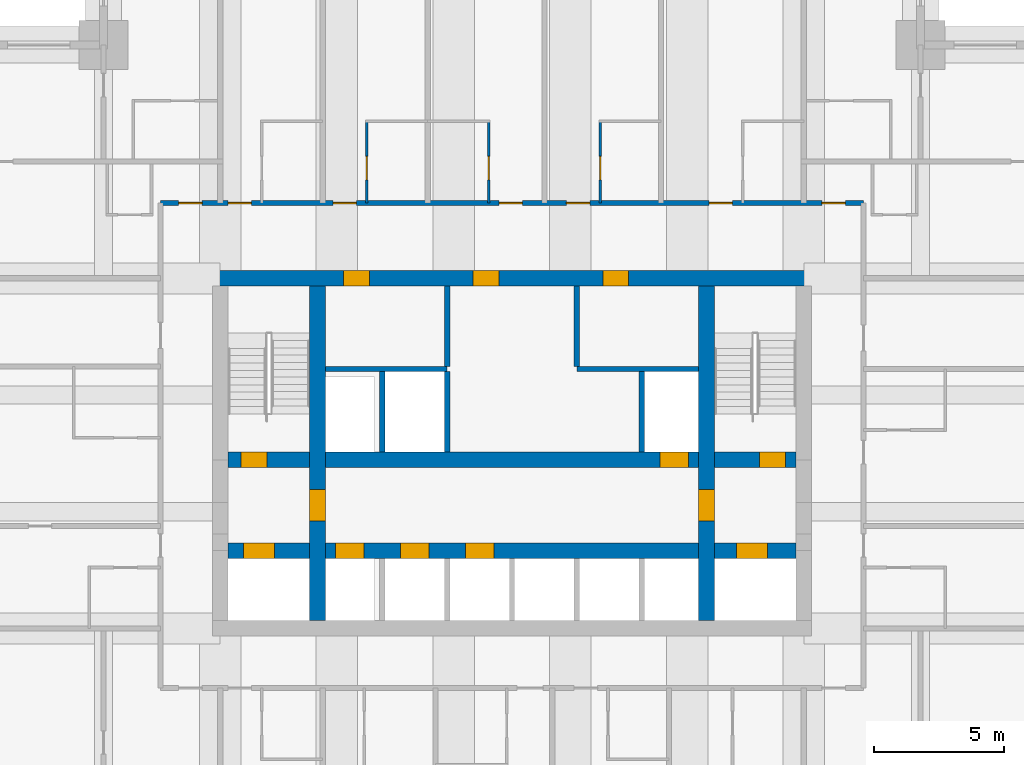
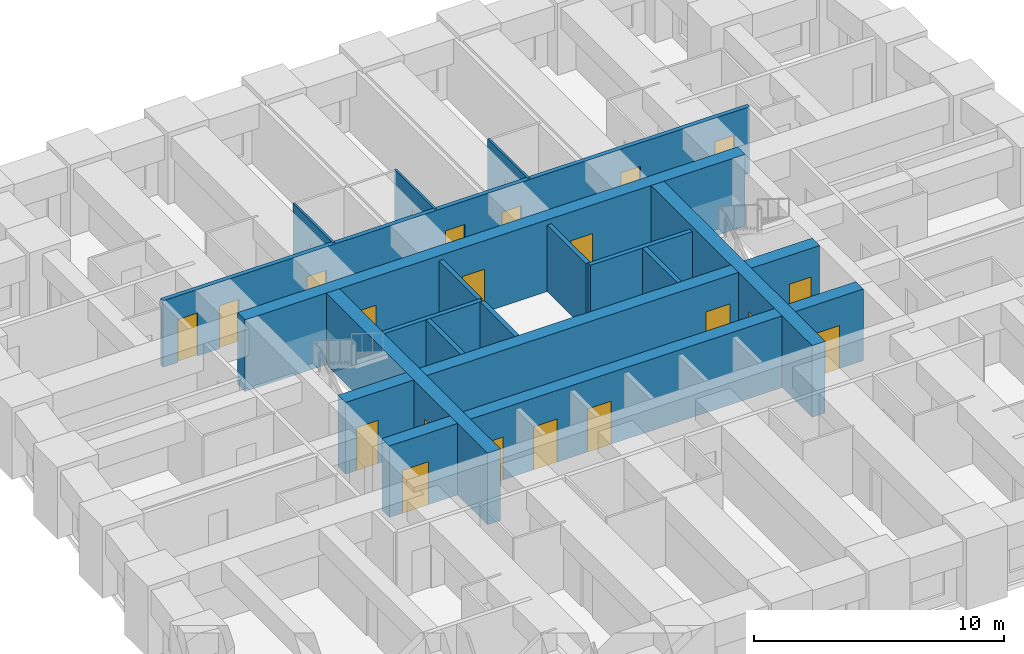
# One storey, part 4 of 8: 23 doors, 16 walls, 23 openings.
"""IFC4 building model written with IfcOpenShell, lengths in metres."""

from ifc_helpers import new_model, si_unit, direction, frame, frame_2d, origin, place, context, subcontext, project, spatial, rectangle, extrude, material, layer, layer_set, type_object, element, fill, save


model = new_model("IFC4")

# Units and contexts
model_context = context("Model", 3, precision=1e-05, world=origin(), true_north=direction((0.0, 1.0)))
body_context = subcontext(model_context, "Body", "Model", "MODEL_VIEW")
ifc_project = project(units=[si_unit("LENGTHUNIT", "METRE"), si_unit("AREAUNIT", "SQUARE_METRE"), si_unit("VOLUMEUNIT", "CUBIC_METRE"), si_unit("PLANEANGLEUNIT", "RADIAN"), si_unit("MASSUNIT", "GRAM", prefix="KILO")], contexts=[model_context])

# Site, building, storey
site_placement = place(None, origin())
site = spatial("IfcSite", under=ifc_project, at=site_placement, CompositionType="ELEMENT")
building_placement = place(site_placement, origin())
building = spatial("IfcBuilding", under=site, at=building_placement, Name="Kilele Tower Hotel", CompositionType="ELEMENT")
storey_placement = place(building_placement, frame((0.0, 0.0, 50.699951171875)))
storey = spatial("IfcBuildingStorey", under=building, at=storey_placement, Name="L11", CompositionType="ELEMENT", Elevation=50.699951171875)

# Wall, opening, door
ifc_material_1 = material(Name="Moisture-resistant board")
ifc_layer_1 = layer(ifc_material_1, 0.10009765625)
ifc_layer_set_1 = layer_set([ifc_layer_1], Name="Moisture-resistant board")
wall_type_1 = type_object("IfcWallType", Name="Bathroom partition 100", PredefinedType="PLUMBINGWALL", material=ifc_layer_set_1)
wall_1_placement = place(storey_placement, frame((19.14990234375, 29.89990234375, 0.0), z_axis=(0.0, 0.0, 1.0), x_axis=(0.0, 1.0, 0.0)))
wall_1 = element("IfcWall", 1, at=wall_1_placement, inside=storey, type_object=wall_type_1, Name="Bathroom partition 100 L11", PredefinedType="PLUMBINGWALL", context=body_context, shape_type="SweptSolid", body=[
    extrude(rectangle(XDim=3.2001953125, YDim=0.10009765625, at=frame_2d((1.60009765625, 0.0))), origin(), (0.0, 0.0, 1.0), 3.25),
])
opening_1_placement = place(wall_1_placement, frame((0.89990234375, 0.0, 0.0)))
opening_1 = element("IfcOpeningElement", 2, at=opening_1_placement, cuts=wall_1, Name="Opening D2A", PredefinedType="OPENING", context=body_context, shape_type="SweptSolid", body=[
    extrude(rectangle(XDim=0.89990234375, YDim=2.10009765625, at=frame_2d((0.449951171875, 1.050048828125))), frame((0.0, 0.06005859375, 0.0), z_axis=(0.0, -1.0, 0.0), x_axis=(1.0, 0.0, 0.0)), (0.0, 0.0, 1.0), 0.1201171875),
])
ifc_material_2 = material(Name="Timber door leaf in hardwood frame", Category="wood")
door_type_1 = type_object("IfcDoorType", Name="Bathroom door 900", OperationType="SINGLE_SWING_LEFT", PredefinedType="DOOR", material=ifc_material_2)
door_1_placement = place(opening_1_placement, origin())
door_1 = element("IfcDoor", 3, at=door_1_placement, inside=storey, type_object=door_type_1, Name="Bathroom door 1110B", OperationType="SINGLE_SWING_LEFT", OverallHeight=2.10009765625, OverallWidth=0.89990234375, PredefinedType="DOOR", context=body_context, shape_type="SweptSolid", body=[
    extrude(rectangle(XDim=0.89990234375, YDim=2.10009765625, at=frame_2d((0.449951171875, 1.050048828125))), frame((0.0, 0.02490234375, 0.0), z_axis=(0.0, -1.0, 0.0), x_axis=(1.0, 0.0, 0.0)), (0.0, 0.0, 1.0), 0.050048828125),
])
fill(opening_1, door_1)

wall_2_placement = place(storey_placement, frame((23.85009765625, 29.89990234375, 0.0), z_axis=(0.0, 0.0, 1.0), x_axis=(0.0, 1.0, 0.0)))
wall_2 = element("IfcWall", 4, at=wall_2_placement, inside=storey, type_object=wall_type_1, Name="Bathroom partition 100 L11", PredefinedType="PLUMBINGWALL", context=body_context, shape_type="SweptSolid", body=[
    extrude(rectangle(XDim=3.2001953125, YDim=0.10009765625, at=frame_2d((1.60009765625, 0.0))), origin(), (0.0, 0.0, 1.0), 3.25),
])
opening_2_placement = place(wall_2_placement, frame((1.7998046875, 0.0, 0.0), z_axis=(0.0, 0.0, 1.0), x_axis=(-1.0, 0.0, 0.0)))
opening_2 = element("IfcOpeningElement", 5, at=opening_2_placement, cuts=wall_2, Name="Opening D2A", PredefinedType="OPENING", context=body_context, shape_type="SweptSolid", body=[
    extrude(rectangle(XDim=0.89990234375, YDim=2.10009765625, at=frame_2d((0.449951171875, 1.050048828125))), frame((0.0, 0.06005859375, 0.0), z_axis=(0.0, -1.0, 0.0), x_axis=(1.0, 0.0, 0.0)), (0.0, 0.0, 1.0), 0.1201171875),
])
door_2_placement = place(opening_2_placement, origin())
door_2 = element("IfcDoor", 6, at=door_2_placement, inside=storey, type_object=door_type_1, Name="Bathroom door 1111B", OperationType="SINGLE_SWING_RIGHT", OverallHeight=2.10009765625, OverallWidth=0.89990234375, PredefinedType="DOOR", context=body_context, shape_type="SweptSolid", body=[
    extrude(rectangle(XDim=0.89990234375, YDim=2.10009765625, at=frame_2d((0.449951171875, 1.050048828125))), frame((0.0, 0.02490234375, 0.0), z_axis=(0.0, -1.0, 0.0), x_axis=(1.0, 0.0, 0.0)), (0.0, 0.0, 1.0), 0.050048828125),
])
fill(opening_2, door_2)

wall_3_placement = place(storey_placement, frame((28.14990234375, 29.89990234375, 0.0), z_axis=(0.0, 0.0, 1.0), x_axis=(0.0, 1.0, 0.0)))
wall_3 = element("IfcWall", 7, at=wall_3_placement, inside=storey, type_object=wall_type_1, Name="Bathroom partition 100 L11", PredefinedType="PLUMBINGWALL", context=body_context, shape_type="SweptSolid", body=[
    extrude(rectangle(XDim=3.2001953125, YDim=0.10009765625, at=frame_2d((1.60009765625, 0.0))), origin(), (0.0, 0.0, 1.0), 3.25),
])
opening_3_placement = place(wall_3_placement, frame((0.89990234375, 0.0, 0.0)))
opening_3 = element("IfcOpeningElement", 8, at=opening_3_placement, cuts=wall_3, Name="Opening D2A", PredefinedType="OPENING", context=body_context, shape_type="SweptSolid", body=[
    extrude(rectangle(XDim=0.89990234375, YDim=2.10009765625, at=frame_2d((0.449951171875, 1.050048828125))), frame((0.0, 0.06005859375, 0.0), z_axis=(0.0, -1.0, 0.0), x_axis=(1.0, 0.0, 0.0)), (0.0, 0.0, 1.0), 0.1201171875),
])
door_3_placement = place(opening_3_placement, origin())
door_3 = element("IfcDoor", 9, at=door_3_placement, inside=storey, type_object=door_type_1, Name="Bathroom door 1112B", OperationType="SINGLE_SWING_LEFT", OverallHeight=2.10009765625, OverallWidth=0.89990234375, PredefinedType="DOOR", context=body_context, shape_type="SweptSolid", body=[
    extrude(rectangle(XDim=0.89990234375, YDim=2.10009765625, at=frame_2d((0.449951171875, 1.050048828125))), frame((0.0, 0.02490234375, 0.0), z_axis=(0.0, -1.0, 0.0), x_axis=(1.0, 0.0, 0.0)), (0.0, 0.0, 1.0), 0.050048828125),
])
fill(opening_3, door_3)

# Wall, openings, doors
ifc_material_3 = material(Name="Concrete C60/75", Category="concrete")
ifc_layer_2 = layer(ifc_material_3, 0.60009765625)
ifc_layer_set_2 = layer_set([ifc_layer_2], Name="Concrete C60/75")
wall_type_2 = type_object("IfcWallType", Name="Core wall 600 C60/75", PredefinedType="SHEAR", material=ifc_layer_set_2)
wall_4_placement = place(storey_placement, frame((36.300048828125, 27.0, 0.0), z_axis=(0.0, 0.0, 1.0), x_axis=(-1.0, 0.0, 0.0)))
wall_4 = element("IfcWall", 10, at=wall_4_placement, inside=storey, type_object=wall_type_2, Name="Core wall N L11", PredefinedType="SHEAR", context=body_context, shape_type="SweptSolid", body=[
    extrude(rectangle(XDim=23.10009765625, YDim=0.60009765625, at=frame_2d((11.550048828125, 0.0))), origin(), (0.0, 0.0, 1.0), 3.5),
])
opening_4_placement = place(wall_4_placement, frame((17.050048828125, 0.0, 0.0)))
opening_4 = element("IfcOpeningElement", 11, at=opening_4_placement, cuts=wall_4, Name="Opening D6", PredefinedType="OPENING", context=body_context, shape_type="SweptSolid", body=[
    extrude(rectangle(XDim=1.0, YDim=2.10009765625, at=frame_2d((0.5, 1.050048828125))), frame((0.0, 0.31005859375, 0.0), z_axis=(0.0, -1.0, 0.0), x_axis=(1.0, 0.0, 0.0)), (0.0, 0.0, 1.0), 0.6201171875),
])
opening_5_placement = place(wall_4_placement, frame((12.050048828125, 0.0, 0.0)))
opening_5 = element("IfcOpeningElement", 12, at=opening_5_placement, cuts=wall_4, Name="Opening D6", PredefinedType="OPENING", context=body_context, shape_type="SweptSolid", body=[
    extrude(rectangle(XDim=1.0, YDim=2.10009765625, at=frame_2d((0.5, 1.050048828125))), frame((0.0, 0.31005859375, 0.0), z_axis=(0.0, -1.0, 0.0), x_axis=(1.0, 0.0, 0.0)), (0.0, 0.0, 1.0), 0.6201171875),
])
opening_6_placement = place(wall_4_placement, frame((7.050048828125, 0.0, 0.0)))
opening_6 = element("IfcOpeningElement", 13, at=opening_6_placement, cuts=wall_4, Name="Opening D6", PredefinedType="OPENING", context=body_context, shape_type="SweptSolid", body=[
    extrude(rectangle(XDim=1.0, YDim=2.10009765625, at=frame_2d((0.5, 1.050048828125))), frame((0.0, 0.31005859375, 0.0), z_axis=(0.0, -1.0, 0.0), x_axis=(1.0, 0.0, 0.0)), (0.0, 0.0, 1.0), 0.6201171875),
])
ifc_material_4 = material(Name="Timber door leaf in hardwood frame", Category="wood")
door_type_2 = type_object("IfcDoorType", Name="Riser door 1000", OperationType="SINGLE_SWING_LEFT", PredefinedType="DOOR", material=ifc_material_4)
door_4_placement = place(opening_4_placement, origin())
door_4 = element("IfcDoor", 14, at=door_4_placement, inside=storey, type_object=door_type_2, Name="Service riser door L11", OperationType="SINGLE_SWING_RIGHT", OverallHeight=2.10009765625, OverallWidth=1.0, PredefinedType="DOOR", context=body_context, shape_type="SweptSolid", body=[
    extrude(rectangle(XDim=1.0, YDim=2.10009765625, at=frame_2d((0.5, 1.050048828125))), frame((0.0, 0.2998046875, 0.0), z_axis=(0.0, -1.0, 0.0), x_axis=(1.0, 0.0, 0.0)), (0.0, 0.0, 1.0), 0.599609375),
])
fill(opening_4, door_4)
door_5_placement = place(opening_5_placement, origin())
door_5 = element("IfcDoor", 15, at=door_5_placement, inside=storey, type_object=door_type_2, Name="Housekeeping linen room door L11", OperationType="SINGLE_SWING_RIGHT", OverallHeight=2.10009765625, OverallWidth=1.0, PredefinedType="DOOR", context=body_context, shape_type="SweptSolid", body=[
    extrude(rectangle(XDim=1.0, YDim=2.10009765625, at=frame_2d((0.5, 1.050048828125))), frame((0.0, 0.2998046875, 0.0), z_axis=(0.0, -1.0, 0.0), x_axis=(1.0, 0.0, 0.0)), (0.0, 0.0, 1.0), 0.599609375),
])
fill(opening_5, door_5)
door_6_placement = place(opening_6_placement, origin())
door_6 = element("IfcDoor", 16, at=door_6_placement, inside=storey, type_object=door_type_2, Name="Electrical riser door L11", OperationType="SINGLE_SWING_RIGHT", OverallHeight=2.10009765625, OverallWidth=1.0, PredefinedType="DOOR", context=body_context, shape_type="SweptSolid", body=[
    extrude(rectangle(XDim=1.0, YDim=2.10009765625, at=frame_2d((0.5, 1.050048828125))), frame((0.0, 0.2998046875, 0.0), z_axis=(0.0, -1.0, 0.0), x_axis=(1.0, 0.0, 0.0)), (0.0, 0.0, 1.0), 0.599609375),
])
fill(opening_6, door_6)

# Wall, opening, door
wall_5_placement = place(storey_placement, frame((17.25, 13.800048828125, 0.0), z_axis=(0.0, 0.0, 1.0), x_axis=(0.0, 1.0, 0.0)))
wall_5 = element("IfcWall", 17, at=wall_5_placement, inside=storey, type_object=wall_type_2, Name="Core wall IW L11", PredefinedType="SHEAR", context=body_context, shape_type="SweptSolid", body=[
    extrude(rectangle(XDim=12.89990234375, YDim=0.60009765625, at=frame_2d((6.449951171875, 0.0))), origin(), (0.0, 0.0, 1.0), 3.5),
])
opening_7_placement = place(wall_5_placement, frame((3.85009765625, 0.0, 0.0)))
opening_7 = element("IfcOpeningElement", 18, at=opening_7_placement, cuts=wall_5, Name="Opening D4", PredefinedType="OPENING", context=body_context, shape_type="SweptSolid", body=[
    extrude(rectangle(XDim=1.199951171875, YDim=2.10009765625, at=frame_2d((0.60009765625, 1.050048828125))), frame((0.0, 0.31005859375, 0.0), z_axis=(0.0, -1.0, 0.0), x_axis=(1.0, 0.0, 0.0)), (0.0, 0.0, 1.0), 0.6201171875),
])
ifc_material_5 = material(Name="Timber door leaf in hardwood frame", Category="wood")
door_type_3 = type_object("IfcDoorType", Name="Firefighting lobby door 1200", OperationType="SINGLE_SWING_LEFT", PredefinedType="DOOR", material=ifc_material_5)
door_7_placement = place(opening_7_placement, origin())
door_7 = element("IfcDoor", 19, at=door_7_placement, inside=storey, type_object=door_type_3, Name="Lobby door L11", OperationType="SINGLE_SWING_LEFT", OverallHeight=2.10009765625, OverallWidth=1.199951171875, PredefinedType="DOOR", context=body_context, shape_type="SweptSolid", body=[
    extrude(rectangle(XDim=1.199951171875, YDim=2.10009765625, at=frame_2d((0.60009765625, 1.050048828125))), frame((0.0, 0.2998046875, 0.0), z_axis=(0.0, -1.0, 0.0), x_axis=(1.0, 0.0, 0.0)), (0.0, 0.0, 1.0), 0.599609375),
])
fill(opening_7, door_7)

wall_6_placement = place(storey_placement, frame((32.25, 13.800048828125, 0.0), z_axis=(0.0, 0.0, 1.0), x_axis=(0.0, 1.0, 0.0)))
wall_6 = element("IfcWall", 20, at=wall_6_placement, inside=storey, type_object=wall_type_2, Name="Core wall IE L11", PredefinedType="SHEAR", context=body_context, shape_type="SweptSolid", body=[
    extrude(rectangle(XDim=12.89990234375, YDim=0.60009765625, at=frame_2d((6.449951171875, 0.0))), origin(), (0.0, 0.0, 1.0), 3.5),
])
opening_8_placement = place(wall_6_placement, frame((5.050048828125, 0.0, 0.0), z_axis=(0.0, 0.0, 1.0), x_axis=(-1.0, 0.0, 0.0)))
opening_8 = element("IfcOpeningElement", 21, at=opening_8_placement, cuts=wall_6, Name="Opening D4", PredefinedType="OPENING", context=body_context, shape_type="SweptSolid", body=[
    extrude(rectangle(XDim=1.199951171875, YDim=2.10009765625, at=frame_2d((0.60009765625, 1.050048828125))), frame((0.0, 0.31005859375, 0.0), z_axis=(0.0, -1.0, 0.0), x_axis=(1.0, 0.0, 0.0)), (0.0, 0.0, 1.0), 0.6201171875),
])
door_8_placement = place(opening_8_placement, origin())
door_8 = element("IfcDoor", 22, at=door_8_placement, inside=storey, type_object=door_type_3, Name="Lobby door L11", OperationType="SINGLE_SWING_RIGHT", OverallHeight=2.10009765625, OverallWidth=1.199951171875, PredefinedType="DOOR", context=body_context, shape_type="SweptSolid", body=[
    extrude(rectangle(XDim=1.199951171875, YDim=2.10009765625, at=frame_2d((0.60009765625, 1.050048828125))), frame((0.0, 0.2998046875, 0.0), z_axis=(0.0, -1.0, 0.0), x_axis=(1.0, 0.0, 0.0)), (0.0, 0.0, 1.0), 0.599609375),
])
fill(opening_8, door_8)

# Wall, openings, doors
wall_7_placement = place(storey_placement, frame((13.800048828125, 16.5, 0.0), z_axis=(0.0, 0.0, 1.0), x_axis=(1.0, 0.0, 0.0)))
wall_7 = element("IfcWall", 23, at=wall_7_placement, inside=storey, type_object=wall_type_2, Name="Core wall LS L11", PredefinedType="SHEAR", context=body_context, shape_type="SweptSolid", body=[
    extrude(rectangle(XDim=21.89990234375, YDim=0.60009765625, at=frame_2d((10.949951171875, 0.0))), origin(), (0.0, 0.0, 1.0), 3.5),
])
opening_9_placement = place(wall_7_placement, frame((4.14990234375, 0.0, 0.0)))
opening_9 = element("IfcOpeningElement", 24, at=opening_9_placement, cuts=wall_7, Name="Opening LD1", PredefinedType="OPENING", context=body_context, shape_type="SweptSolid", body=[
    extrude(rectangle(XDim=1.10009765625, YDim=2.10009765625, at=frame_2d((0.550048828125, 1.050048828125))), frame((0.0, 0.31005859375, 0.0), z_axis=(0.0, -1.0, 0.0), x_axis=(1.0, 0.0, 0.0)), (0.0, 0.0, 1.0), 0.6201171875),
])
opening_10_placement = place(wall_7_placement, frame((6.64990234375, 0.0, 0.0)))
opening_10 = element("IfcOpeningElement", 25, at=opening_10_placement, cuts=wall_7, Name="Opening LD1", PredefinedType="OPENING", context=body_context, shape_type="SweptSolid", body=[
    extrude(rectangle(XDim=1.10009765625, YDim=2.10009765625, at=frame_2d((0.550048828125, 1.050048828125))), frame((0.0, 0.31005859375, 0.0), z_axis=(0.0, -1.0, 0.0), x_axis=(1.0, 0.0, 0.0)), (0.0, 0.0, 1.0), 0.6201171875),
])
opening_11_placement = place(wall_7_placement, frame((9.14990234375, 0.0, 0.0)))
opening_11 = element("IfcOpeningElement", 26, at=opening_11_placement, cuts=wall_7, Name="Opening LD1", PredefinedType="OPENING", context=body_context, shape_type="SweptSolid", body=[
    extrude(rectangle(XDim=1.10009765625, YDim=2.10009765625, at=frame_2d((0.550048828125, 1.050048828125))), frame((0.0, 0.31005859375, 0.0), z_axis=(0.0, -1.0, 0.0), x_axis=(1.0, 0.0, 0.0)), (0.0, 0.0, 1.0), 0.6201171875),
])
opening_12_placement = place(wall_7_placement, frame((0.60009765625, 0.0, 0.0)))
opening_12 = element("IfcOpeningElement", 27, at=opening_12_placement, cuts=wall_7, Name="Opening LD2", PredefinedType="OPENING", context=body_context, shape_type="SweptSolid", body=[
    extrude(rectangle(XDim=1.199951171875, YDim=2.10009765625, at=frame_2d((0.60009765625, 1.050048828125))), frame((0.0, 0.31005859375, 0.0), z_axis=(0.0, -1.0, 0.0), x_axis=(1.0, 0.0, 0.0)), (0.0, 0.0, 1.0), 0.6201171875),
])
opening_13_placement = place(wall_7_placement, frame((19.60009765625, 0.0, 0.0)))
opening_13 = element("IfcOpeningElement", 28, at=opening_13_placement, cuts=wall_7, Name="Opening LD2", PredefinedType="OPENING", context=body_context, shape_type="SweptSolid", body=[
    extrude(rectangle(XDim=1.199951171875, YDim=2.10009765625, at=frame_2d((0.60009765625, 1.050048828125))), frame((0.0, 0.31005859375, 0.0), z_axis=(0.0, -1.0, 0.0), x_axis=(1.0, 0.0, 0.0)), (0.0, 0.0, 1.0), 0.6201171875),
])
ifc_material_6 = material(Name="Steel lift landing door", Category="steel")
door_type_4 = type_object("IfcDoorType", Name="Firefighting lift landing door 1200", OperationType="SLIDING_TO_LEFT", PredefinedType="DOOR", material=ifc_material_6)
door_9_placement = place(opening_12_placement, origin())
door_9 = element("IfcDoor", 29, at=door_9_placement, inside=storey, type_object=door_type_4, Name="Landing door FFW L11", OperationType="SLIDING_TO_LEFT", OverallHeight=2.10009765625, OverallWidth=1.199951171875, PredefinedType="DOOR", context=body_context, shape_type="SweptSolid", body=[
    extrude(rectangle(XDim=1.199951171875, YDim=2.10009765625, at=frame_2d((0.60009765625, 1.050048828125))), frame((0.0, 0.2998046875, 0.0), z_axis=(0.0, -1.0, 0.0), x_axis=(1.0, 0.0, 0.0)), (0.0, 0.0, 1.0), 0.599609375),
])
fill(opening_12, door_9)
door_10_placement = place(opening_13_placement, origin())
door_10 = element("IfcDoor", 30, at=door_10_placement, inside=storey, type_object=door_type_4, Name="Landing door FFE L11", OperationType="SLIDING_TO_LEFT", OverallHeight=2.10009765625, OverallWidth=1.199951171875, PredefinedType="DOOR", context=body_context, shape_type="SweptSolid", body=[
    extrude(rectangle(XDim=1.199951171875, YDim=2.10009765625, at=frame_2d((0.60009765625, 1.050048828125))), frame((0.0, 0.2998046875, 0.0), z_axis=(0.0, -1.0, 0.0), x_axis=(1.0, 0.0, 0.0)), (0.0, 0.0, 1.0), 0.599609375),
])
fill(opening_13, door_10)
ifc_material_7 = material(Name="Steel lift landing door", Category="steel")
door_type_5 = type_object("IfcDoorType", Name="Lift landing door 1100", OperationType="SLIDING_TO_LEFT", PredefinedType="DOOR", material=ifc_material_7)
door_11_placement = place(opening_9_placement, origin())
door_11 = element("IfcDoor", 31, at=door_11_placement, inside=storey, type_object=door_type_5, Name="Landing door L1 L11", OperationType="SLIDING_TO_LEFT", OverallHeight=2.10009765625, OverallWidth=1.10009765625, PredefinedType="DOOR", context=body_context, shape_type="SweptSolid", body=[
    extrude(rectangle(XDim=1.10009765625, YDim=2.10009765625, at=frame_2d((0.550048828125, 1.050048828125))), frame((0.0, 0.2998046875, 0.0), z_axis=(0.0, -1.0, 0.0), x_axis=(1.0, 0.0, 0.0)), (0.0, 0.0, 1.0), 0.599609375),
])
fill(opening_9, door_11)
door_12_placement = place(opening_10_placement, origin())
door_12 = element("IfcDoor", 32, at=door_12_placement, inside=storey, type_object=door_type_5, Name="Landing door L2 L11", OperationType="SLIDING_TO_LEFT", OverallHeight=2.10009765625, OverallWidth=1.10009765625, PredefinedType="DOOR", context=body_context, shape_type="SweptSolid", body=[
    extrude(rectangle(XDim=1.10009765625, YDim=2.10009765625, at=frame_2d((0.550048828125, 1.050048828125))), frame((0.0, 0.2998046875, 0.0), z_axis=(0.0, -1.0, 0.0), x_axis=(1.0, 0.0, 0.0)), (0.0, 0.0, 1.0), 0.599609375),
])
fill(opening_10, door_12)
door_13_placement = place(opening_11_placement, origin())
door_13 = element("IfcDoor", 33, at=door_13_placement, inside=storey, type_object=door_type_5, Name="Landing door L3 L11", OperationType="SLIDING_TO_LEFT", OverallHeight=2.10009765625, OverallWidth=1.10009765625, PredefinedType="DOOR", context=body_context, shape_type="SweptSolid", body=[
    extrude(rectangle(XDim=1.10009765625, YDim=2.10009765625, at=frame_2d((0.550048828125, 1.050048828125))), frame((0.0, 0.2998046875, 0.0), z_axis=(0.0, -1.0, 0.0), x_axis=(1.0, 0.0, 0.0)), (0.0, 0.0, 1.0), 0.599609375),
])
fill(opening_11, door_13)

wall_8_placement = place(storey_placement, frame((13.800048828125, 20.0, 0.0), z_axis=(0.0, 0.0, 1.0), x_axis=(1.0, 0.0, 0.0)))
wall_8 = element("IfcWall", 34, at=wall_8_placement, inside=storey, type_object=wall_type_2, Name="Core wall LN L11", PredefinedType="SHEAR", context=body_context, shape_type="SweptSolid", body=[
    extrude(rectangle(XDim=21.89990234375, YDim=0.60009765625, at=frame_2d((10.949951171875, 0.0))), origin(), (0.0, 0.0, 1.0), 3.5),
])
opening_14_placement = place(wall_8_placement, frame((0.5, 0.0, 0.0)))
opening_14 = element("IfcOpeningElement", 35, at=opening_14_placement, cuts=wall_8, Name="Opening D5", PredefinedType="OPENING", context=body_context, shape_type="SweptSolid", body=[
    extrude(rectangle(XDim=1.0, YDim=2.10009765625, at=frame_2d((0.5, 1.050048828125))), frame((0.0, 0.31005859375, 0.0), z_axis=(0.0, -1.0, 0.0), x_axis=(1.0, 0.0, 0.0)), (0.0, 0.0, 1.0), 0.6201171875),
])
opening_15_placement = place(wall_8_placement, frame((20.5, 0.0, 0.0)))
opening_15 = element("IfcOpeningElement", 36, at=opening_15_placement, cuts=wall_8, Name="Opening D5", PredefinedType="OPENING", context=body_context, shape_type="SweptSolid", body=[
    extrude(rectangle(XDim=1.0, YDim=2.10009765625, at=frame_2d((0.5, 1.050048828125))), frame((0.0, 0.31005859375, 0.0), z_axis=(0.0, -1.0, 0.0), x_axis=(1.0, 0.0, 0.0)), (0.0, 0.0, 1.0), 0.6201171875),
])
opening_16_placement = place(wall_8_placement, frame((16.64990234375, 0.0, 0.0)))
opening_16 = element("IfcOpeningElement", 37, at=opening_16_placement, cuts=wall_8, Name="Opening LD1", PredefinedType="OPENING", context=body_context, shape_type="SweptSolid", body=[
    extrude(rectangle(XDim=1.10009765625, YDim=2.10009765625, at=frame_2d((0.550048828125, 1.050048828125))), frame((0.0, 0.31005859375, 0.0), z_axis=(0.0, -1.0, 0.0), x_axis=(1.0, 0.0, 0.0)), (0.0, 0.0, 1.0), 0.6201171875),
])
door_14_placement = place(opening_16_placement, origin())
door_14 = element("IfcDoor", 38, at=door_14_placement, inside=storey, type_object=door_type_5, Name="Landing door G1 L11", OperationType="SLIDING_TO_LEFT", OverallHeight=2.10009765625, OverallWidth=1.10009765625, PredefinedType="DOOR", context=body_context, shape_type="SweptSolid", body=[
    extrude(rectangle(XDim=1.10009765625, YDim=2.10009765625, at=frame_2d((0.550048828125, 1.050048828125))), frame((0.0, 0.2998046875, 0.0), z_axis=(0.0, -1.0, 0.0), x_axis=(1.0, 0.0, 0.0)), (0.0, 0.0, 1.0), 0.599609375),
])
fill(opening_16, door_14)
ifc_material_8 = material(Name="Timber door leaf in hardwood frame", Category="wood")
door_type_6 = type_object("IfcDoorType", Name="Stair door 1000", OperationType="SINGLE_SWING_LEFT", PredefinedType="DOOR", material=ifc_material_8)
door_15_placement = place(opening_14_placement, origin())
door_15 = element("IfcDoor", 39, at=door_15_placement, inside=storey, type_object=door_type_6, Name="Stair 1 door L11", OperationType="SINGLE_SWING_LEFT", OverallHeight=2.10009765625, OverallWidth=1.0, PredefinedType="DOOR", context=body_context, shape_type="SweptSolid", body=[
    extrude(rectangle(XDim=1.0, YDim=2.10009765625, at=frame_2d((0.5, 1.050048828125))), frame((0.0, 0.2998046875, 0.0), z_axis=(0.0, -1.0, 0.0), x_axis=(1.0, 0.0, 0.0)), (0.0, 0.0, 1.0), 0.599609375),
])
fill(opening_14, door_15)
door_16_placement = place(opening_15_placement, origin())
door_16 = element("IfcDoor", 40, at=door_16_placement, inside=storey, type_object=door_type_6, Name="Stair 2 door L11", OperationType="SINGLE_SWING_RIGHT", OverallHeight=2.10009765625, OverallWidth=1.0, PredefinedType="DOOR", context=body_context, shape_type="SweptSolid", body=[
    extrude(rectangle(XDim=1.0, YDim=2.10009765625, at=frame_2d((0.5, 1.050048828125))), frame((0.0, 0.2998046875, 0.0), z_axis=(0.0, -1.0, 0.0), x_axis=(1.0, 0.0, 0.0)), (0.0, 0.0, 1.0), 0.599609375),
])
fill(opening_15, door_16)

ifc_material_9 = material(Name="Blockwork, plastered both sides", Category="masonry")
ifc_layer_3 = layer(ifc_material_9, 0.199951171875)
ifc_layer_set_3 = layer_set([ifc_layer_3], Name="Blockwork, plastered both sides")
wall_type_3 = type_object("IfcWallType", Name="Corridor wall 200", PredefinedType="PARTITIONING", material=ifc_layer_set_3)
wall_9_placement = place(storey_placement, frame((11.199951171875, 29.89990234375, 0.0), z_axis=(0.0, 0.0, 1.0), x_axis=(1.0, 0.0, 0.0)))
wall_9 = element("IfcWall", 41, at=wall_9_placement, inside=storey, type_object=wall_type_3, Name="Corridor wall 200 L11", PredefinedType="PARTITIONING", context=body_context, shape_type="SweptSolid", body=[
    extrude(rectangle(XDim=27.10009765625, YDim=0.199951171875, at=frame_2d((13.550048828125, 0.0))), origin(), (0.0, 0.0, 1.0), 3.25),
])
opening_17_placement = place(wall_9_placement, frame((2.60009765625, 0.0, 0.0)))
opening_17 = element("IfcOpeningElement", 42, at=opening_17_placement, cuts=wall_9, Name="Opening D1", PredefinedType="OPENING", context=body_context, shape_type="SweptSolid", body=[
    extrude(rectangle(XDim=0.89990234375, YDim=2.10009765625, at=frame_2d((0.449951171875, 1.050048828125))), frame((0.0, 0.10986328125, 0.0), z_axis=(0.0, -1.0, 0.0), x_axis=(1.0, 0.0, 0.0)), (0.0, 0.0, 1.0), 0.219970703125),
])
opening_18_placement = place(wall_9_placement, frame((6.64990234375, 0.0, 0.0)))
opening_18 = element("IfcOpeningElement", 43, at=opening_18_placement, cuts=wall_9, Name="Opening D1", PredefinedType="OPENING", context=body_context, shape_type="SweptSolid", body=[
    extrude(rectangle(XDim=0.89990234375, YDim=2.10009765625, at=frame_2d((0.449951171875, 1.050048828125))), frame((0.0, 0.10986328125, 0.0), z_axis=(0.0, -1.0, 0.0), x_axis=(1.0, 0.0, 0.0)), (0.0, 0.0, 1.0), 0.219970703125),
])
opening_19_placement = place(wall_9_placement, frame((13.050048828125, 0.0, 0.0)))
opening_19 = element("IfcOpeningElement", 44, at=opening_19_placement, cuts=wall_9, Name="Opening D1", PredefinedType="OPENING", context=body_context, shape_type="SweptSolid", body=[
    extrude(rectangle(XDim=0.89990234375, YDim=2.10009765625, at=frame_2d((0.449951171875, 1.050048828125))), frame((0.0, 0.10986328125, 0.0), z_axis=(0.0, -1.0, 0.0), x_axis=(1.0, 0.0, 0.0)), (0.0, 0.0, 1.0), 0.219970703125),
])
opening_20_placement = place(wall_9_placement, frame((15.64990234375, 0.0, 0.0)))
opening_20 = element("IfcOpeningElement", 45, at=opening_20_placement, cuts=wall_9, Name="Opening D1", PredefinedType="OPENING", context=body_context, shape_type="SweptSolid", body=[
    extrude(rectangle(XDim=0.89990234375, YDim=2.10009765625, at=frame_2d((0.449951171875, 1.050048828125))), frame((0.0, 0.10986328125, 0.0), z_axis=(0.0, -1.0, 0.0), x_axis=(1.0, 0.0, 0.0)), (0.0, 0.0, 1.0), 0.219970703125),
])
opening_21_placement = place(wall_9_placement, frame((21.14990234375, 0.0, 0.0)))
opening_21 = element("IfcOpeningElement", 46, at=opening_21_placement, cuts=wall_9, Name="Opening D1", PredefinedType="OPENING", context=body_context, shape_type="SweptSolid", body=[
    extrude(rectangle(XDim=0.89990234375, YDim=2.10009765625, at=frame_2d((0.449951171875, 1.050048828125))), frame((0.0, 0.10986328125, 0.0), z_axis=(0.0, -1.0, 0.0), x_axis=(1.0, 0.0, 0.0)), (0.0, 0.0, 1.0), 0.219970703125),
])
opening_22_placement = place(wall_9_placement, frame((25.5, 0.0, 0.0)))
opening_22 = element("IfcOpeningElement", 47, at=opening_22_placement, cuts=wall_9, Name="Opening D1", PredefinedType="OPENING", context=body_context, shape_type="SweptSolid", body=[
    extrude(rectangle(XDim=0.89990234375, YDim=2.10009765625, at=frame_2d((0.449951171875, 1.050048828125))), frame((0.0, 0.10986328125, 0.0), z_axis=(0.0, -1.0, 0.0), x_axis=(1.0, 0.0, 0.0)), (0.0, 0.0, 1.0), 0.219970703125),
])
opening_23_placement = place(wall_9_placement, frame((0.699951171875, 0.0, 0.0)))
opening_23 = element("IfcOpeningElement", 48, at=opening_23_placement, cuts=wall_9, Name="Opening D1", PredefinedType="OPENING", context=body_context, shape_type="SweptSolid", body=[
    extrude(rectangle(XDim=0.89990234375, YDim=2.10009765625, at=frame_2d((0.449951171875, 1.050048828125))), frame((0.0, 0.10986328125, 0.0), z_axis=(0.0, -1.0, 0.0), x_axis=(1.0, 0.0, 0.0)), (0.0, 0.0, 1.0), 0.219970703125),
])
ifc_material_10 = material(Name="Timber door leaf in hardwood frame", Category="wood")
door_type_7 = type_object("IfcDoorType", Name="Guest room entrance door 900", OperationType="SINGLE_SWING_LEFT", PredefinedType="DOOR", material=ifc_material_10)
door_17_placement = place(opening_17_placement, origin())
door_17 = element("IfcDoor", 49, at=door_17_placement, inside=storey, type_object=door_type_7, Name="Room entrance 1109", OperationType="SINGLE_SWING_LEFT", OverallHeight=2.10009765625, OverallWidth=0.89990234375, PredefinedType="DOOR", context=body_context, shape_type="SweptSolid", body=[
    extrude(rectangle(XDim=0.89990234375, YDim=2.10009765625, at=frame_2d((0.449951171875, 1.050048828125))), frame((0.0, 0.02490234375, 0.0), z_axis=(0.0, -1.0, 0.0), x_axis=(1.0, 0.0, 0.0)), (0.0, 0.0, 1.0), 0.050048828125),
])
fill(opening_17, door_17)
door_18_placement = place(opening_18_placement, origin())
door_18 = element("IfcDoor", 50, at=door_18_placement, inside=storey, type_object=door_type_7, Name="Room entrance 1110", OperationType="SINGLE_SWING_LEFT", OverallHeight=2.10009765625, OverallWidth=0.89990234375, PredefinedType="DOOR", context=body_context, shape_type="SweptSolid", body=[
    extrude(rectangle(XDim=0.89990234375, YDim=2.10009765625, at=frame_2d((0.449951171875, 1.050048828125))), frame((0.0, 0.02490234375, 0.0), z_axis=(0.0, -1.0, 0.0), x_axis=(1.0, 0.0, 0.0)), (0.0, 0.0, 1.0), 0.050048828125),
])
fill(opening_18, door_18)
door_19_placement = place(opening_19_placement, origin())
door_19 = element("IfcDoor", 51, at=door_19_placement, inside=storey, type_object=door_type_7, Name="Room entrance 1111", OperationType="SINGLE_SWING_LEFT", OverallHeight=2.10009765625, OverallWidth=0.89990234375, PredefinedType="DOOR", context=body_context, shape_type="SweptSolid", body=[
    extrude(rectangle(XDim=0.89990234375, YDim=2.10009765625, at=frame_2d((0.449951171875, 1.050048828125))), frame((0.0, 0.02490234375, 0.0), z_axis=(0.0, -1.0, 0.0), x_axis=(1.0, 0.0, 0.0)), (0.0, 0.0, 1.0), 0.050048828125),
])
fill(opening_19, door_19)
door_20_placement = place(opening_20_placement, origin())
door_20 = element("IfcDoor", 52, at=door_20_placement, inside=storey, type_object=door_type_7, Name="Room entrance 1112", OperationType="SINGLE_SWING_RIGHT", OverallHeight=2.10009765625, OverallWidth=0.89990234375, PredefinedType="DOOR", context=body_context, shape_type="SweptSolid", body=[
    extrude(rectangle(XDim=0.89990234375, YDim=2.10009765625, at=frame_2d((0.449951171875, 1.050048828125))), frame((0.0, 0.02490234375, 0.0), z_axis=(0.0, -1.0, 0.0), x_axis=(1.0, 0.0, 0.0)), (0.0, 0.0, 1.0), 0.050048828125),
])
fill(opening_20, door_20)
door_21_placement = place(opening_21_placement, origin())
door_21 = element("IfcDoor", 53, at=door_21_placement, inside=storey, type_object=door_type_7, Name="Room entrance 1113", OperationType="SINGLE_SWING_RIGHT", OverallHeight=2.10009765625, OverallWidth=0.89990234375, PredefinedType="DOOR", context=body_context, shape_type="SweptSolid", body=[
    extrude(rectangle(XDim=0.89990234375, YDim=2.10009765625, at=frame_2d((0.449951171875, 1.050048828125))), frame((0.0, 0.02490234375, 0.0), z_axis=(0.0, -1.0, 0.0), x_axis=(1.0, 0.0, 0.0)), (0.0, 0.0, 1.0), 0.050048828125),
])
fill(opening_21, door_21)
door_22_placement = place(opening_22_placement, origin())
door_22 = element("IfcDoor", 54, at=door_22_placement, inside=storey, type_object=door_type_7, Name="Room entrance 1123", OperationType="SINGLE_SWING_LEFT", OverallHeight=2.10009765625, OverallWidth=0.89990234375, PredefinedType="DOOR", context=body_context, shape_type="SweptSolid", body=[
    extrude(rectangle(XDim=0.89990234375, YDim=2.10009765625, at=frame_2d((0.449951171875, 1.050048828125))), frame((0.0, 0.02490234375, 0.0), z_axis=(0.0, -1.0, 0.0), x_axis=(1.0, 0.0, 0.0)), (0.0, 0.0, 1.0), 0.050048828125),
])
fill(opening_22, door_22)
door_23_placement = place(opening_23_placement, origin())
door_23 = element("IfcDoor", 55, at=door_23_placement, inside=storey, type_object=door_type_7, Name="Room entrance 1126", OperationType="SINGLE_SWING_RIGHT", OverallHeight=2.10009765625, OverallWidth=0.89990234375, PredefinedType="DOOR", context=body_context, shape_type="SweptSolid", body=[
    extrude(rectangle(XDim=0.89990234375, YDim=2.10009765625, at=frame_2d((0.449951171875, 1.050048828125))), frame((0.0, 0.02490234375, 0.0), z_axis=(0.0, -1.0, 0.0), x_axis=(1.0, 0.0, 0.0)), (0.0, 0.0, 1.0), 0.050048828125),
])
fill(opening_23, door_23)

# Walls
ifc_material_11 = material(Name="Blockwork, fire-rated", Category="masonry")
ifc_layer_4 = layer(ifc_material_11, 0.199951171875)
ifc_layer_set_4 = layer_set([ifc_layer_4], Name="Blockwork, fire-rated")
wall_type_4 = type_object("IfcWallType", Name="Shaft wall 200", PredefinedType="PARTITIONING", material=ifc_layer_set_4)
for number, where, z_axis, x_axis, name in (
    (56, (19.75, 20.300048828125, 0.0), (0.0, 0.0, 1.0), (0.0, 1.0, 0.0), "Shaft wall 200 L11"),
    (57, (22.25, 20.300048828125, 0.0), (0.0, 0.0, 1.0), (0.0, 1.0, 0.0), "Shaft wall 200 L11"),
    (58, (29.75, 20.300048828125, 0.0), (0.0, 0.0, 1.0), (0.0, 1.0, 0.0), "Shaft wall 200 L11"),
):
    element("IfcWall", number, at=place(storey_placement, frame(where, z_axis=z_axis, x_axis=x_axis)), inside=storey, type_object=wall_type_4, Name=name, PredefinedType="PARTITIONING", context=body_context, shape_type="SweptSolid", body=[
        extrude(rectangle(XDim=3.099853515625, YDim=0.199951171875, at=frame_2d((1.5498046875, 0.0))), origin(), (0.0, 0.0, 1.0), 3.25),
    ])
for number, where, z_axis, x_axis, name in (
    (59, (17.550048828125, 23.5, 0.0), (0.0, 0.0, 1.0), (1.0, 0.0, 0.0), "Shaft wall 200 L11"),
    (60, (27.25, 23.5, 0.0), (0.0, 0.0, 1.0), (1.0, 0.0, 0.0), "Shaft wall 200 L11"),
):
    element("IfcWall", number, at=place(storey_placement, frame(where, z_axis=z_axis, x_axis=x_axis)), inside=storey, type_object=wall_type_4, Name=name, PredefinedType="PARTITIONING", context=body_context, shape_type="SweptSolid", body=[
        extrude(rectangle(XDim=4.699951171875, YDim=0.199951171875, at=frame_2d((2.35009765625, 0.0))), origin(), (0.0, 0.0, 1.0), 3.25),
    ])
for number, where, z_axis, x_axis, name in (
    (61, (22.25, 23.60009765625, 0.0), (0.0, 0.0, 1.0), (0.0, 1.0, 0.0), "Shaft wall 200 L11"),
    (62, (27.25, 23.60009765625, 0.0), (0.0, 0.0, 1.0), (0.0, 1.0, 0.0), "Shaft wall 200 L11"),
):
    element("IfcWall", number, at=place(storey_placement, frame(where, z_axis=z_axis, x_axis=x_axis)), inside=storey, type_object=wall_type_4, Name=name, PredefinedType="PARTITIONING", context=body_context, shape_type="SweptSolid", body=[
        extrude(rectangle(XDim=3.099853515625, YDim=0.199951171875, at=frame_2d((1.5498046875, 0.0))), origin(), (0.0, 0.0, 1.0), 3.25),
    ])

save(model, "model.ifc")
